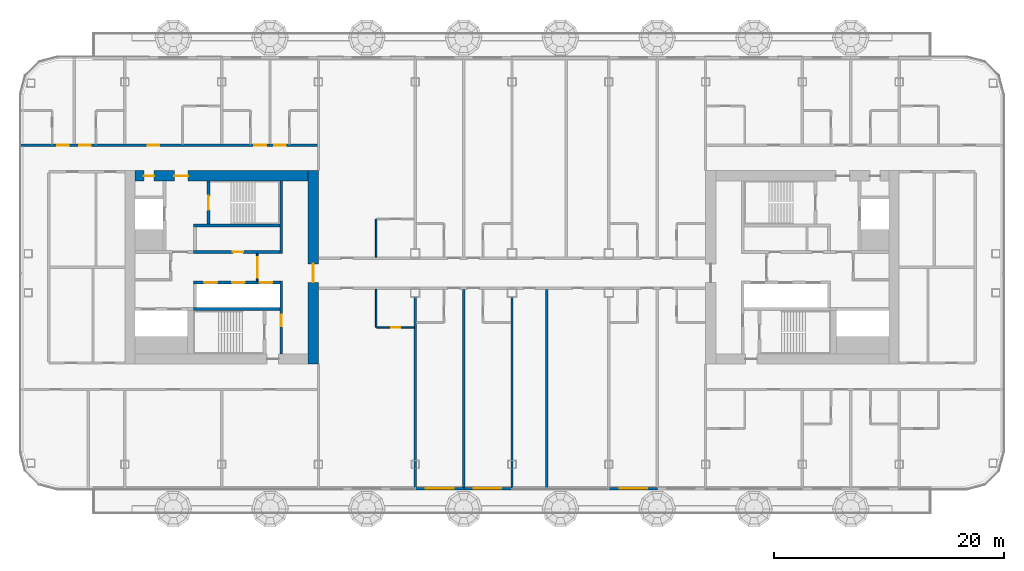
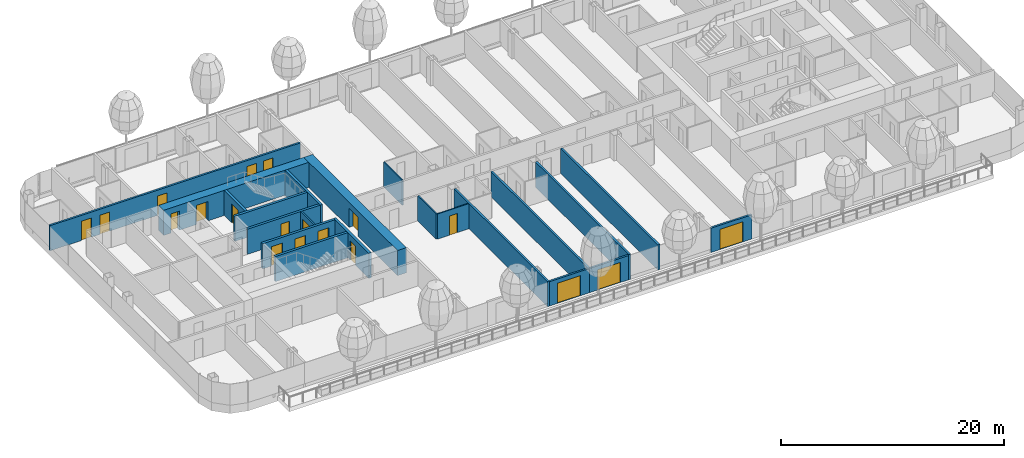
# One storey, part 11 of 30: 21 walls, 19 doors, 19 openings, 1 element without a shape of its own.
"""IFC4 building model written with IfcOpenShell, lengths in metres."""

from ifc_helpers import new_model, si_unit, direction, frame, frame_2d, origin, place, context, subcontext, project, spatial, rectangle, extrude, material, layer, layer_set, type_object, element, fill, aggregate, save


model = new_model("IFC4")

# Units and contexts
model_context = context("Model", 3, precision=1e-05, world=origin(), true_north=direction((0.0, 1.0)))
body_context = subcontext(model_context, "Body", "Model", "MODEL_VIEW")
ifc_project = project(units=[si_unit("LENGTHUNIT", "METRE"), si_unit("AREAUNIT", "SQUARE_METRE"), si_unit("VOLUMEUNIT", "CUBIC_METRE"), si_unit("PLANEANGLEUNIT", "RADIAN"), si_unit("MASSUNIT", "GRAM", prefix="KILO")], contexts=[model_context])

# Site, building, storey
site_placement = place(None, origin())
site = spatial("IfcSite", under=ifc_project, at=site_placement, CompositionType="ELEMENT")
building_placement = place(site_placement, origin())
building = spatial("IfcBuilding", under=site, at=building_placement, Name="Hakoniwa Tower and Hamabe Station Hall", CompositionType="ELEMENT")
storey_placement = place(building_placement, frame((0.0, 0.0, 137.39990234375)))
storey = spatial("IfcBuildingStorey", under=building, at=storey_placement, Name="L38", CompositionType="ELEMENT", Elevation=137.39990234375)

# Wall, opening, door
ifc_material_1 = material(Name="Gypsum board partition", Category="gypsum")
ifc_layer_1 = layer(ifc_material_1, 0.125)
ifc_layer_set_1 = layer_set([ifc_layer_1], Name="Bathroom Partition 125")
wall_type_1 = type_object("IfcWallType", Name="Bathroom Partition 125", PredefinedType="PARTITIONING", material=ifc_layer_set_1)
wall_1_placement = place(storey_placement, frame((-11.737548828125, -5.199951171875, 0.0), z_axis=(0.0, 0.0, 1.0), x_axis=(1.0, 0.0, 0.0)))
wall_1 = element("IfcWall", 1, at=wall_1_placement, inside=storey, type_object=wall_type_1, Name="GW-L38-009", PredefinedType="PARTITIONING", context=body_context, shape_type="SweptSolid", body=[
    extrude(rectangle(XDim=3.237548828125, YDim=0.125, at=frame_2d((1.61865234375, 0.0))), origin(), (0.0, 0.0, 1.0), 2.75),
])
opening_1_placement = place(wall_1_placement, frame((1.237548828125, 0.0, 0.0)))
opening_1 = element("IfcOpeningElement", 2, at=opening_1_placement, cuts=wall_1, Name="Opening GD-G3C0-15", PredefinedType="OPENING", context=body_context, shape_type="SweptSolid", body=[
    extrude(rectangle(XDim=0.800048828125, YDim=2.10009765625, at=frame_2d((0.39990234375, 1.050048828125))), frame((0.0, 0.072509765625, 0.0), z_axis=(0.0, -1.0, 0.0), x_axis=(1.0, 0.0, 0.0)), (0.0, 0.0, 1.0), 0.14501953125),
])
ifc_material_2 = material(Name="Timber door leaf", Category="wood")
door_type_1 = type_object("IfcDoorType", Name="Bathroom Door 800", OperationType="SINGLE_SWING_LEFT", PredefinedType="DOOR", material=ifc_material_2)
door_1_placement = place(opening_1_placement, origin())
door_1 = element("IfcDoor", 3, at=door_1_placement, inside=storey, type_object=door_type_1, Name="Door GD-G3C0-15", OperationType="SINGLE_SWING_RIGHT", OverallHeight=2.10009765625, OverallWidth=0.800048828125, PredefinedType="DOOR", context=body_context, shape_type="SweptSolid", body=[
    extrude(rectangle(XDim=0.800048828125, YDim=2.10009765625, at=frame_2d((0.39990234375, 1.050048828125))), frame((0.0, 0.02490234375, 0.0), z_axis=(0.0, -1.0, 0.0), x_axis=(1.0, 0.0, 0.0)), (0.0, 0.0, 1.0), 0.050048828125),
])
fill(opening_1, door_1)

# Walls
for number, where, z_axis, x_axis, name in (
    (4, (-11.800048828125, -5.199951171875, 0.0), (0.0, 0.0, 1.0), (0.0, 1.0, 0.0), "GW-L38-053"),
    (5, (-11.800048828125, 0.89990234375, 0.0), (0.0, 0.0, 1.0), (0.0, 1.0, 0.0), "GW-L38-054"),
):
    element("IfcWall", number, at=place(storey_placement, frame(where, z_axis=z_axis, x_axis=x_axis)), inside=storey, type_object=wall_type_1, Name=name, PredefinedType="PARTITIONING", context=body_context, shape_type="SweptSolid", body=[
        extrude(rectangle(XDim=3.300048828125, YDim=0.125, at=frame_2d((1.64990234375, 0.0))), origin(), (0.0, 0.0, 1.0), 2.75),
    ])

# Wall, opening, door
ifc_material_3 = material(Name="Gypsum board partition")
ifc_layer_2 = layer(ifc_material_3, 0.14990234375)
ifc_layer_set_2 = layer_set([ifc_layer_2], Name="CORE PARTITION 150 EI 60")
wall_type_2 = type_object("IfcWallType", Name="CORE PARTITION 150 EI 60", PredefinedType="PARTITIONING", material=ifc_layer_set_2)
wall_2_placement = place(storey_placement, frame((-22.10009765625, -1.199951171875, 0.0), z_axis=(0.0, 0.0, 1.0), x_axis=(0.0, 1.0, 0.0)))
wall_2 = element("IfcWall", 6, at=wall_2_placement, inside=storey, type_object=wall_type_2, Name="Core partition PL0 west", PredefinedType="PARTITIONING", context=body_context, shape_type="SweptSolid", body=[
    extrude(rectangle(XDim=2.39990234375, YDim=0.14990234375, at=frame_2d((1.199951171875, 0.0))), origin(), (0.0, 0.0, 1.0), 2.75),
])
opening_2_placement = place(wall_2_placement, frame((0.300048828125, 0.0, 0.0)))
opening_2 = element("IfcOpeningElement", 7, at=opening_2_placement, cuts=wall_2, Name="Opening CD-W-LP0-18", PredefinedType="OPENING", context=body_context, shape_type="SweptSolid", body=[
    extrude(rectangle(XDim=1.800048828125, YDim=2.10009765625, at=frame_2d((0.89990234375, 1.050048828125))), frame((0.0, 0.0849609375, 0.0), z_axis=(0.0, -1.0, 0.0), x_axis=(1.0, 0.0, 0.0)), (0.0, 0.0, 1.0), 0.169921875),
])
ifc_material_4 = material(Name="Steel fire door", Category="steel")
door_type_2 = type_object("IfcDoorType", Name="CORE DOOR 1800 FD60", OperationType="DOUBLE_DOOR_SINGLE_SWING", PredefinedType="DOOR", material=ifc_material_4)
door_2_placement = place(opening_2_placement, origin())
door_2 = element("IfcDoor", 8, at=door_2_placement, inside=storey, type_object=door_type_2, Name="Lift lobby partition door", OperationType="DOUBLE_DOOR_SINGLE_SWING", OverallHeight=2.10009765625, OverallWidth=1.800048828125, PredefinedType="DOOR", context=body_context, shape_type="SweptSolid", body=[
    extrude(rectangle(XDim=1.800048828125, YDim=2.10009765625, at=frame_2d((0.89990234375, 1.050048828125))), frame((0.0, 0.02490234375, 0.0), z_axis=(0.0, -1.0, 0.0), x_axis=(1.0, 0.0, 0.0)), (0.0, 0.0, 1.0), 0.050048828125),
])
fill(opening_2, door_2)

ifc_material_5 = material(Name="Concrete C66", Category="concrete")
ifc_layer_3 = layer(ifc_material_5, 0.89990234375)
ifc_layer_set_3 = layer_set([ifc_layer_3], Name="CORE WALL 900 C66")
wall_type_3 = type_object("IfcWallType", Name="CORE WALL 900 C66", PredefinedType="SHEAR", material=ifc_layer_set_3)
wall_3_placement = place(storey_placement, frame((-17.25, -8.39990234375, 0.0), z_axis=(0.0, 0.0, 1.0), x_axis=(0.0, 1.0, 0.0)))
wall_3 = element("IfcWall", 9, at=wall_3_placement, inside=storey, type_object=wall_type_3, Name="Core wall INNER west", PredefinedType="SHEAR", context=body_context, shape_type="SweptSolid", body=[
    extrude(rectangle(XDim=16.7998046875, YDim=0.89990234375, at=frame_2d((8.39990234375, 0.0))), origin(), (0.0, 0.0, 1.0), 2.75),
])
opening_3_placement = place(wall_3_placement, frame((7.10009765625, 0.0, 0.0)))
opening_3 = element("IfcOpeningElement", 10, at=opening_3_placement, cuts=wall_3, Name="Opening CD-W-IN1-16", PredefinedType="OPENING", context=body_context, shape_type="SweptSolid", body=[
    extrude(rectangle(XDim=1.60009765625, YDim=2.10009765625, at=frame_2d((0.800048828125, 1.050048828125))), frame((0.0, 0.4599609375, 0.0), z_axis=(0.0, -1.0, 0.0), x_axis=(1.0, 0.0, 0.0)), (0.0, 0.0, 1.0), 0.919921875),
])
ifc_material_6 = material(Name="Steel fire door", Category="steel")
door_type_3 = type_object("IfcDoorType", Name="CORE DOOR 1600 FD60", OperationType="DOUBLE_DOOR_SINGLE_SWING", PredefinedType="DOOR", material=ifc_material_6)
door_3_placement = place(opening_3_placement, origin())
door_3 = element("IfcDoor", 11, at=door_3_placement, inside=storey, type_object=door_type_3, Name="Lift lobby door", OperationType="DOUBLE_DOOR_SINGLE_SWING", OverallHeight=2.10009765625, OverallWidth=1.60009765625, PredefinedType="DOOR", context=body_context, shape_type="SweptSolid", body=[
    extrude(rectangle(XDim=1.60009765625, YDim=2.10009765625, at=frame_2d((0.800048828125, 1.050048828125))), frame((0.0, 0.02490234375, 0.0), z_axis=(0.0, -1.0, 0.0), x_axis=(1.0, 0.0, 0.0)), (0.0, 0.0, 1.0), 0.050048828125),
])
fill(opening_3, door_3)

# Wall, openings, doors
wall_4_placement = place(storey_placement, frame((-32.699951171875, 7.949951171875, 0.0), z_axis=(0.0, 0.0, 1.0), x_axis=(1.0, 0.0, 0.0)))
wall_4 = element("IfcWall", 12, at=wall_4_placement, inside=storey, type_object=wall_type_3, Name="Core wall NORTH west", PredefinedType="SHEAR", context=body_context, shape_type="SweptSolid", body=[
    extrude(rectangle(XDim=15.0, YDim=0.89990234375, at=frame_2d((7.5, 0.0))), origin(), (0.0, 0.0, 1.0), 2.75),
])
opening_4_placement = place(wall_4_placement, frame((3.39990234375, 0.0, 0.0)))
opening_4 = element("IfcOpeningElement", 13, at=opening_4_placement, cuts=wall_4, Name="Opening CD-W-FN1-12", PredefinedType="OPENING", context=body_context, shape_type="SweptSolid", body=[
    extrude(rectangle(XDim=1.199951171875, YDim=2.10009765625, at=frame_2d((0.60009765625, 1.050048828125))), frame((0.0, 0.4599609375, 0.0), z_axis=(0.0, -1.0, 0.0), x_axis=(1.0, 0.0, 0.0)), (0.0, 0.0, 1.0), 0.919921875),
])
opening_5_placement = place(wall_4_placement, frame((0.75, 0.0, 0.0)))
opening_5 = element("IfcOpeningElement", 14, at=opening_5_placement, cuts=wall_4, Name="Opening CD-W-FN2-9", PredefinedType="OPENING", context=body_context, shape_type="SweptSolid", body=[
    extrude(rectangle(XDim=0.89990234375, YDim=2.10009765625, at=frame_2d((0.449951171875, 1.050048828125))), frame((0.0, 0.4599609375, 0.0), z_axis=(0.0, -1.0, 0.0), x_axis=(1.0, 0.0, 0.0)), (0.0, 0.0, 1.0), 0.919921875),
])
ifc_material_7 = material(Name="Steel fire door", Category="steel")
door_type_4 = type_object("IfcDoorType", Name="CORE DOOR 1200 FD60", OperationType="DOUBLE_DOOR_SINGLE_SWING", PredefinedType="DOOR", material=ifc_material_7)
door_4_placement = place(opening_4_placement, origin())
door_4 = element("IfcDoor", 15, at=door_4_placement, inside=storey, type_object=door_type_4, Name="Stair vestibule door to the fire-fighting lobby", OperationType="DOUBLE_DOOR_SINGLE_SWING", OverallHeight=2.10009765625, OverallWidth=1.199951171875, PredefinedType="DOOR", context=body_context, shape_type="SweptSolid", body=[
    extrude(rectangle(XDim=1.199951171875, YDim=2.10009765625, at=frame_2d((0.60009765625, 1.050048828125))), frame((0.0, 0.02490234375, 0.0), z_axis=(0.0, -1.0, 0.0), x_axis=(1.0, 0.0, 0.0)), (0.0, 0.0, 1.0), 0.050048828125),
])
fill(opening_4, door_4)
ifc_material_8 = material(Name="Steel fire door", Category="steel")
door_type_5 = type_object("IfcDoorType", Name="CORE DOOR 900 FD30", OperationType="NOTDEFINED", PredefinedType="DOOR", material=ifc_material_8)
door_5_placement = place(opening_5_placement, origin())
door_5 = element("IfcDoor", 16, at=door_5_placement, inside=storey, type_object=door_type_5, Name="Riser access door", OperationType="SINGLE_SWING_LEFT", OverallHeight=2.10009765625, OverallWidth=0.89990234375, PredefinedType="DOOR", context=body_context, shape_type="SweptSolid", body=[
    extrude(rectangle(XDim=0.89990234375, YDim=2.10009765625, at=frame_2d((0.449951171875, 1.050048828125))), frame((0.0, 0.02490234375, 0.0), z_axis=(0.0, -1.0, 0.0), x_axis=(1.0, 0.0, 0.0)), (0.0, 0.0, 1.0), 0.050048828125),
])
fill(opening_5, door_5)

# Wall
ifc_material_9 = material(Name="Concrete C66", Category="concrete")
ifc_layer_4 = layer(ifc_material_9, 0.25)
ifc_layer_set_4 = layer_set([ifc_layer_4], Name="CORE WEB WALL 250 C66")
wall_type_4 = type_object("IfcWallType", Name="CORE WEB WALL 250 C66", PredefinedType="SHEAR", material=ifc_layer_set_4)
wall_5_placement = place(storey_placement, frame((-20.02490234375, 1.199951171875, 0.0), z_axis=(0.0, 0.0, 1.0), x_axis=(0.0, 1.0, 0.0)))
element("IfcWall", 17, at=wall_5_placement, inside=storey, type_object=wall_type_4, Name="Core wall W1N west", PredefinedType="SHEAR", context=body_context, shape_type="SweptSolid", body=[
    extrude(rectangle(XDim=6.300048828125, YDim=0.25, at=frame_2d((3.14990234375, 0.0))), origin(), (0.0, 0.0, 1.0), 2.75),
])

# Wall, opening, door
wall_6_placement = place(storey_placement, frame((-20.02490234375, -7.5, 0.0), z_axis=(0.0, 0.0, 1.0), x_axis=(0.0, 1.0, 0.0)))
wall_6 = element("IfcWall", 18, at=wall_6_placement, inside=storey, type_object=wall_type_4, Name="Core wall W1S west", PredefinedType="SHEAR", context=body_context, shape_type="SweptSolid", body=[
    extrude(rectangle(XDim=6.300048828125, YDim=0.25, at=frame_2d((3.14990234375, 0.0))), origin(), (0.0, 0.0, 1.0), 2.75),
])
opening_6_placement = place(wall_6_placement, frame((2.39990234375, 0.0, 0.0)))
opening_6 = element("IfcOpeningElement", 19, at=opening_6_placement, cuts=wall_6, Name="Opening CD-W-VS-10", PredefinedType="OPENING", context=body_context, shape_type="SweptSolid", body=[
    extrude(rectangle(XDim=1.0, YDim=2.10009765625, at=frame_2d((0.5, 1.050048828125))), frame((0.0, 0.135009765625, 0.0), z_axis=(0.0, -1.0, 0.0), x_axis=(1.0, 0.0, 0.0)), (0.0, 0.0, 1.0), 0.27001953125),
])
ifc_material_10 = material(Name="Steel fire door", Category="steel")
door_type_6 = type_object("IfcDoorType", Name="CORE DOOR 1000 FD60", OperationType="NOTDEFINED", PredefinedType="DOOR", material=ifc_material_10)
door_6_placement = place(opening_6_placement, origin())
door_6 = element("IfcDoor", 20, at=door_6_placement, inside=storey, type_object=door_type_6, Name="Stair vestibule door", OperationType="SINGLE_SWING_LEFT", OverallHeight=2.10009765625, OverallWidth=1.0, PredefinedType="DOOR", context=body_context, shape_type="SweptSolid", body=[
    extrude(rectangle(XDim=1.0, YDim=2.10009765625, at=frame_2d((0.5, 1.050048828125))), frame((0.0, 0.02490234375, 0.0), z_axis=(0.0, -1.0, 0.0), x_axis=(1.0, 0.0, 0.0)), (0.0, 0.0, 1.0), 0.050048828125),
])
fill(opening_6, door_6)

wall_7_placement = place(storey_placement, frame((-27.64990234375, 1.324951171875, 0.0), z_axis=(0.0, 0.0, 1.0), x_axis=(1.0, 0.0, 0.0)))
wall_7 = element("IfcWall", 21, at=wall_7_placement, inside=storey, type_object=wall_type_4, Name="Core wall NF west", PredefinedType="SHEAR", context=body_context, shape_type="SweptSolid", body=[
    extrude(rectangle(XDim=7.5, YDim=0.25, at=frame_2d((3.75, 0.0))), origin(), (0.0, 0.0, 1.0), 2.75),
])
opening_7_placement = place(wall_7_placement, frame((3.425048828125, 0.0, 0.0)))
opening_7 = element("IfcOpeningElement", 22, at=opening_7_placement, cuts=wall_7, Name="Opening CD-W-FRLR0-9", PredefinedType="OPENING", context=body_context, shape_type="SweptSolid", body=[
    extrude(rectangle(XDim=0.89990234375, YDim=2.10009765625, at=frame_2d((0.449951171875, 1.050048828125))), frame((0.0, 0.135009765625, 0.0), z_axis=(0.0, -1.0, 0.0), x_axis=(1.0, 0.0, 0.0)), (0.0, 0.0, 1.0), 0.27001953125),
])
door_7_placement = place(opening_7_placement, origin())
door_7 = element("IfcDoor", 23, at=door_7_placement, inside=storey, type_object=door_type_5, Name="Store room door", OperationType="SINGLE_SWING_LEFT", OverallHeight=2.10009765625, OverallWidth=0.89990234375, PredefinedType="DOOR", context=body_context, shape_type="SweptSolid", body=[
    extrude(rectangle(XDim=0.89990234375, YDim=2.10009765625, at=frame_2d((0.449951171875, 1.050048828125))), frame((0.0, 0.02490234375, 0.0), z_axis=(0.0, -1.0, 0.0), x_axis=(1.0, 0.0, 0.0)), (0.0, 0.0, 1.0), 0.050048828125),
])
fill(opening_7, door_7)

# Wall
wall_8_placement = place(storey_placement, frame((-27.64990234375, 3.625, 0.0), z_axis=(0.0, 0.0, 1.0), x_axis=(1.0, 0.0, 0.0)))
element("IfcWall", 24, at=wall_8_placement, inside=storey, type_object=wall_type_4, Name="Core wall NR west", PredefinedType="SHEAR", context=body_context, shape_type="SweptSolid", body=[
    extrude(rectangle(XDim=7.5, YDim=0.25, at=frame_2d((3.75, 0.0))), origin(), (0.0, 0.0, 1.0), 2.75),
])

# Wall, opening, door
wall_9_placement = place(storey_placement, frame((-26.324951171875, 3.75, 0.0), z_axis=(0.0, 0.0, 1.0), x_axis=(0.0, 1.0, 0.0)))
wall_9 = element("IfcWall", 25, at=wall_9_placement, inside=storey, type_object=wall_type_4, Name="Core wall NSE west", PredefinedType="SHEAR", context=body_context, shape_type="SweptSolid", body=[
    extrude(rectangle(XDim=3.75, YDim=0.25, at=frame_2d((1.875, 0.0))), origin(), (0.0, 0.0, 1.0), 2.75),
])
opening_8_placement = place(wall_9_placement, frame((1.25, 0.0, 0.0)))
opening_8 = element("IfcOpeningElement", 26, at=opening_8_placement, cuts=wall_9, Name="Opening CD-W-SN-12", PredefinedType="OPENING", context=body_context, shape_type="SweptSolid", body=[
    extrude(rectangle(XDim=1.199951171875, YDim=2.10009765625, at=frame_2d((0.60009765625, 1.050048828125))), frame((0.0, 0.135009765625, 0.0), z_axis=(0.0, -1.0, 0.0), x_axis=(1.0, 0.0, 0.0)), (0.0, 0.0, 1.0), 0.27001953125),
])
door_8_placement = place(opening_8_placement, origin())
door_8 = element("IfcDoor", 27, at=door_8_placement, inside=storey, type_object=door_type_4, Name="Escape stair door", OperationType="DOUBLE_DOOR_SINGLE_SWING", OverallHeight=2.10009765625, OverallWidth=1.199951171875, PredefinedType="DOOR", context=body_context, shape_type="SweptSolid", body=[
    extrude(rectangle(XDim=1.199951171875, YDim=2.10009765625, at=frame_2d((0.60009765625, 1.050048828125))), frame((0.0, 0.02490234375, 0.0), z_axis=(0.0, -1.0, 0.0), x_axis=(1.0, 0.0, 0.0)), (0.0, 0.0, 1.0), 0.050048828125),
])
fill(opening_8, door_8)

# Wall, openings, doors
wall_10_placement = place(storey_placement, frame((-27.64990234375, -1.324951171875, 0.0), z_axis=(0.0, 0.0, 1.0), x_axis=(1.0, 0.0, 0.0)))
wall_10 = element("IfcWall", 28, at=wall_10_placement, inside=storey, type_object=wall_type_4, Name="Core wall SF west", PredefinedType="SHEAR", context=body_context, shape_type="SweptSolid", body=[
    extrude(rectangle(XDim=7.5, YDim=0.25, at=frame_2d((3.75, 0.0))), origin(), (0.0, 0.0, 1.0), 2.75),
])
opening_9_placement = place(wall_10_placement, frame((5.75, 0.0, 0.0)))
opening_9 = element("IfcOpeningElement", 29, at=opening_9_placement, cuts=wall_10, Name="Opening LD-HR1", PredefinedType="OPENING", context=body_context, shape_type="SweptSolid", body=[
    extrude(rectangle(XDim=1.10009765625, YDim=2.10009765625, at=frame_2d((0.550048828125, 1.050048828125))), frame((0.0, 0.135009765625, 0.0), z_axis=(0.0, -1.0, 0.0), x_axis=(1.0, 0.0, 0.0)), (0.0, 0.0, 1.0), 0.27001953125),
])
opening_10_placement = place(wall_10_placement, frame((3.35009765625, 0.0, 0.0)))
opening_10 = element("IfcOpeningElement", 30, at=opening_10_placement, cuts=wall_10, Name="Opening LD-HR2", PredefinedType="OPENING", context=body_context, shape_type="SweptSolid", body=[
    extrude(rectangle(XDim=1.10009765625, YDim=2.10009765625, at=frame_2d((0.550048828125, 1.050048828125))), frame((0.0, 0.135009765625, 0.0), z_axis=(0.0, -1.0, 0.0), x_axis=(1.0, 0.0, 0.0)), (0.0, 0.0, 1.0), 0.27001953125),
])
opening_11_placement = place(wall_10_placement, frame((0.949951171875, 0.0, 0.0)))
opening_11 = element("IfcOpeningElement", 31, at=opening_11_placement, cuts=wall_10, Name="Opening LD-HR3", PredefinedType="OPENING", context=body_context, shape_type="SweptSolid", body=[
    extrude(rectangle(XDim=1.10009765625, YDim=2.10009765625, at=frame_2d((0.550048828125, 1.050048828125))), frame((0.0, 0.135009765625, 0.0), z_axis=(0.0, -1.0, 0.0), x_axis=(1.0, 0.0, 0.0)), (0.0, 0.0, 1.0), 0.27001953125),
])
ifc_material_11 = material(Name="Stainless steel SUS304", Category="steel")
door_type_7 = type_object("IfcDoorType", Name="LIFT LANDING DOOR 1100 FD60", OperationType="DOUBLE_DOOR_SLIDING", PredefinedType="DOOR", material=ifc_material_11)
door_9_placement = place(opening_9_placement, origin())
door_9 = element("IfcDoor", 32, at=door_9_placement, inside=storey, type_object=door_type_7, Name="Lift landing door HR1 L38", OperationType="DOUBLE_DOOR_SLIDING", OverallHeight=2.10009765625, OverallWidth=1.10009765625, PredefinedType="DOOR", context=body_context, shape_type="SweptSolid", body=[
    extrude(rectangle(XDim=1.10009765625, YDim=2.10009765625, at=frame_2d((0.550048828125, 1.050048828125))), frame((0.0, 0.02490234375, 0.0), z_axis=(0.0, -1.0, 0.0), x_axis=(1.0, 0.0, 0.0)), (0.0, 0.0, 1.0), 0.050048828125),
])
fill(opening_9, door_9)
door_10_placement = place(opening_10_placement, origin())
door_10 = element("IfcDoor", 33, at=door_10_placement, inside=storey, type_object=door_type_7, Name="Lift landing door HR2 L38", OperationType="DOUBLE_DOOR_SLIDING", OverallHeight=2.10009765625, OverallWidth=1.10009765625, PredefinedType="DOOR", context=body_context, shape_type="SweptSolid", body=[
    extrude(rectangle(XDim=1.10009765625, YDim=2.10009765625, at=frame_2d((0.550048828125, 1.050048828125))), frame((0.0, 0.02490234375, 0.0), z_axis=(0.0, -1.0, 0.0), x_axis=(1.0, 0.0, 0.0)), (0.0, 0.0, 1.0), 0.050048828125),
])
fill(opening_10, door_10)
door_11_placement = place(opening_11_placement, origin())
door_11 = element("IfcDoor", 34, at=door_11_placement, inside=storey, type_object=door_type_7, Name="Lift landing door HR3 L38", OperationType="DOUBLE_DOOR_SLIDING", OverallHeight=2.10009765625, OverallWidth=1.10009765625, PredefinedType="DOOR", context=body_context, shape_type="SweptSolid", body=[
    extrude(rectangle(XDim=1.10009765625, YDim=2.10009765625, at=frame_2d((0.550048828125, 1.050048828125))), frame((0.0, 0.02490234375, 0.0), z_axis=(0.0, -1.0, 0.0), x_axis=(1.0, 0.0, 0.0)), (0.0, 0.0, 1.0), 0.050048828125),
])
fill(opening_11, door_11)

# Wall
wall_11_placement = place(storey_placement, frame((-27.64990234375, -3.625, 0.0), z_axis=(0.0, 0.0, 1.0), x_axis=(1.0, 0.0, 0.0)))
element("IfcWall", 35, at=wall_11_placement, inside=storey, type_object=wall_type_4, Name="Core wall SR west", PredefinedType="SHEAR", context=body_context, shape_type="SweptSolid", body=[
    extrude(rectangle(XDim=7.5, YDim=0.25, at=frame_2d((3.75, 0.0))), origin(), (0.0, 0.0, 1.0), 2.75),
])

# Wall, openings, doors
ifc_material_12 = material(Name="Fire-rated gypsum board partition", Category="gypsum")
ifc_layer_5 = layer(ifc_material_12, 0.199951171875)
ifc_layer_set_5 = layer_set([ifc_layer_5], Name="Corridor Wall 200")
wall_type_5 = type_object("IfcWallType", Name="Corridor Wall 200", PredefinedType="PARTITIONING", material=ifc_layer_set_5)
wall_12_placement = place(storey_placement, frame((-42.699951171875, 10.60009765625, 0.0), z_axis=(0.0, 0.0, 1.0), x_axis=(1.0, 0.0, 0.0)))
wall_12 = element("IfcWall", 36, at=wall_12_placement, inside=storey, type_object=wall_type_5, Name="GW-L38-025", PredefinedType="PARTITIONING", context=body_context, shape_type="SweptSolid", body=[
    extrude(rectangle(XDim=25.89990234375, YDim=0.199951171875, at=frame_2d((12.949951171875, 0.0))), origin(), (0.0, 0.0, 1.0), 2.75),
])
opening_12_placement = place(wall_12_placement, frame((3.25, 0.0, 0.0)))
opening_12 = element("IfcOpeningElement", 37, at=opening_12_placement, cuts=wall_12, Name="Opening GD-G3C0-35", PredefinedType="OPENING", context=body_context, shape_type="SweptSolid", body=[
    extrude(rectangle(XDim=1.0, YDim=2.10009765625, at=frame_2d((0.5, 1.050048828125))), frame((0.0, 0.10986328125, 0.0), z_axis=(0.0, -1.0, 0.0), x_axis=(1.0, 0.0, 0.0)), (0.0, 0.0, 1.0), 0.219970703125),
])
opening_13_placement = place(wall_12_placement, frame((5.14990234375, 0.0, 0.0)))
opening_13 = element("IfcOpeningElement", 38, at=opening_13_placement, cuts=wall_12, Name="Opening GD-G3C0-36", PredefinedType="OPENING", context=body_context, shape_type="SweptSolid", body=[
    extrude(rectangle(XDim=1.0, YDim=2.10009765625, at=frame_2d((0.5, 1.050048828125))), frame((0.0, 0.10986328125, 0.0), z_axis=(0.0, -1.0, 0.0), x_axis=(1.0, 0.0, 0.0)), (0.0, 0.0, 1.0), 0.219970703125),
])
opening_14_placement = place(wall_12_placement, frame((11.10009765625, 0.0, 0.0)))
opening_14 = element("IfcOpeningElement", 39, at=opening_14_placement, cuts=wall_12, Name="Opening GD-G3C0-37", PredefinedType="OPENING", context=body_context, shape_type="SweptSolid", body=[
    extrude(rectangle(XDim=1.0, YDim=2.10009765625, at=frame_2d((0.5, 1.050048828125))), frame((0.0, 0.10986328125, 0.0), z_axis=(0.0, -1.0, 0.0), x_axis=(1.0, 0.0, 0.0)), (0.0, 0.0, 1.0), 0.219970703125),
])
opening_15_placement = place(wall_12_placement, frame((20.35009765625, 0.0, 0.0)))
opening_15 = element("IfcOpeningElement", 40, at=opening_15_placement, cuts=wall_12, Name="Opening GD-G3C0-38", PredefinedType="OPENING", context=body_context, shape_type="SweptSolid", body=[
    extrude(rectangle(XDim=1.0, YDim=2.10009765625, at=frame_2d((0.5, 1.050048828125))), frame((0.0, 0.10986328125, 0.0), z_axis=(0.0, -1.0, 0.0), x_axis=(1.0, 0.0, 0.0)), (0.0, 0.0, 1.0), 0.219970703125),
])
opening_16_placement = place(wall_12_placement, frame((22.050048828125, 0.0, 0.0)))
opening_16 = element("IfcOpeningElement", 41, at=opening_16_placement, cuts=wall_12, Name="Opening GD-G3C0-39", PredefinedType="OPENING", context=body_context, shape_type="SweptSolid", body=[
    extrude(rectangle(XDim=1.0, YDim=2.10009765625, at=frame_2d((0.5, 1.050048828125))), frame((0.0, 0.10986328125, 0.0), z_axis=(0.0, -1.0, 0.0), x_axis=(1.0, 0.0, 0.0)), (0.0, 0.0, 1.0), 0.219970703125),
])
ifc_material_13 = material(Name="Timber door leaf", Category="wood")
door_type_8 = type_object("IfcDoorType", Name="Guest Entrance Door 1000", OperationType="SINGLE_SWING_LEFT", PredefinedType="DOOR", material=ifc_material_13)
door_12_placement = place(opening_12_placement, origin())
door_12 = element("IfcDoor", 42, at=door_12_placement, inside=storey, type_object=door_type_8, Name="Door GD-G3C0-35", OperationType="SINGLE_SWING_RIGHT", OverallHeight=2.10009765625, OverallWidth=1.0, PredefinedType="DOOR", context=body_context, shape_type="SweptSolid", body=[
    extrude(rectangle(XDim=1.0, YDim=2.10009765625, at=frame_2d((0.5, 1.050048828125))), frame((0.0, 0.02490234375, 0.0), z_axis=(0.0, -1.0, 0.0), x_axis=(1.0, 0.0, 0.0)), (0.0, 0.0, 1.0), 0.050048828125),
])
fill(opening_12, door_12)
door_13_placement = place(opening_13_placement, origin())
door_13 = element("IfcDoor", 43, at=door_13_placement, inside=storey, type_object=door_type_8, Name="Door GD-G3C0-36", OperationType="SINGLE_SWING_LEFT", OverallHeight=2.10009765625, OverallWidth=1.0, PredefinedType="DOOR", context=body_context, shape_type="SweptSolid", body=[
    extrude(rectangle(XDim=1.0, YDim=2.10009765625, at=frame_2d((0.5, 1.050048828125))), frame((0.0, 0.02490234375, 0.0), z_axis=(0.0, -1.0, 0.0), x_axis=(1.0, 0.0, 0.0)), (0.0, 0.0, 1.0), 0.050048828125),
])
fill(opening_13, door_13)
door_14_placement = place(opening_14_placement, origin())
door_14 = element("IfcDoor", 44, at=door_14_placement, inside=storey, type_object=door_type_8, Name="Door GD-G3C0-37", OperationType="SINGLE_SWING_RIGHT", OverallHeight=2.10009765625, OverallWidth=1.0, PredefinedType="DOOR", context=body_context, shape_type="SweptSolid", body=[
    extrude(rectangle(XDim=1.0, YDim=2.10009765625, at=frame_2d((0.5, 1.050048828125))), frame((0.0, 0.02490234375, 0.0), z_axis=(0.0, -1.0, 0.0), x_axis=(1.0, 0.0, 0.0)), (0.0, 0.0, 1.0), 0.050048828125),
])
fill(opening_14, door_14)
door_15_placement = place(opening_15_placement, origin())
door_15 = element("IfcDoor", 45, at=door_15_placement, inside=storey, type_object=door_type_8, Name="Door GD-G3C0-38", OperationType="SINGLE_SWING_LEFT", OverallHeight=2.10009765625, OverallWidth=1.0, PredefinedType="DOOR", context=body_context, shape_type="SweptSolid", body=[
    extrude(rectangle(XDim=1.0, YDim=2.10009765625, at=frame_2d((0.5, 1.050048828125))), frame((0.0, 0.02490234375, 0.0), z_axis=(0.0, -1.0, 0.0), x_axis=(1.0, 0.0, 0.0)), (0.0, 0.0, 1.0), 0.050048828125),
])
fill(opening_15, door_15)
door_16_placement = place(opening_16_placement, origin())
door_16 = element("IfcDoor", 46, at=door_16_placement, inside=storey, type_object=door_type_8, Name="Door GD-G3C0-39", OperationType="SINGLE_SWING_RIGHT", OverallHeight=2.10009765625, OverallWidth=1.0, PredefinedType="DOOR", context=body_context, shape_type="SweptSolid", body=[
    extrude(rectangle(XDim=1.0, YDim=2.10009765625, at=frame_2d((0.5, 1.050048828125))), frame((0.0, 0.02490234375, 0.0), z_axis=(0.0, -1.0, 0.0), x_axis=(1.0, 0.0, 0.0)), (0.0, 0.0, 1.0), 0.050048828125),
])
fill(opening_16, door_16)

# Curtain wall, walls, openings, doors
ifc_material_14 = material(Name="Dark low-e laminated glass", Category="glass")
ifc_layer_6 = layer(ifc_material_14, 0.199951171875)
ifc_layer_set_6 = layer_set([ifc_layer_6], Name="CW-1 UNITISED GUEST")
curtain_wall_type = type_object("IfcCurtainWallType", Name="CW-1 UNITISED GUEST", PredefinedType="NOTDEFINED", material=ifc_layer_set_6)
curtain_wall_placement = place(storey_placement, origin())
curtain_wall = element("IfcCurtainWall", 47, at=curtain_wall_placement, inside=storey, type_object=curtain_wall_type, Name="CW-1 curtain wall", PredefinedType="NOTDEFINED")
ifc_material_15 = material(Name="Dark glass-faced aluminium panel", Category="aluminium")
ifc_layer_7 = layer(ifc_material_15, 0.199951171875)
ifc_layer_set_7 = layer_set([ifc_layer_7], Name="DOOR BAY WALL")
wall_type_6 = type_object("IfcWallType", Name="DOOR BAY WALL", PredefinedType="NOTDEFINED", material=ifc_layer_set_7)
wall_13_placement = place(storey_placement, frame((-8.3798828125, -19.199951171875, 0.0), z_axis=(0.0, 0.0, 1.0), x_axis=(1.0, 0.0, 0.0)))
wall_13 = element("IfcWall", 48, at=wall_13_placement, type_object=wall_type_6, Name="Door bay wall", PredefinedType="NOTDEFINED", context=body_context, shape_type="SweptSolid", body=[
    extrude(rectangle(XDim=4.219970703125, YDim=0.199951171875, at=frame_2d((2.10986328125, 0.0))), origin(), (0.0, 0.0, 1.0), 2.650146484375),
])
opening_17_placement = place(wall_13_placement, frame((0.909912109375, 0.0, 0.0)))
opening_17 = element("IfcOpeningElement", 49, at=opening_17_placement, cuts=wall_13, Name="Opening BD-S07-7", PredefinedType="OPENING", context=body_context, shape_type="SweptSolid", body=[
    extrude(rectangle(XDim=2.39990234375, YDim=2.199951171875, at=frame_2d((1.199951171875, 1.10009765625))), frame((0.0, 0.10986328125, 0.0), z_axis=(0.0, -1.0, 0.0), x_axis=(1.0, 0.0, 0.0)), (0.0, 0.0, 1.0), 0.219970703125),
])
ifc_material_16 = material(Name="Dark low-e laminated glass", Category="glass")
door_type_9 = type_object("IfcDoorType", Name="BALCONY SLIDING DOOR 2400X2200", OperationType="SLIDING_TO_LEFT", PredefinedType="DOOR", material=ifc_material_16)
door_17_placement = place(opening_17_placement, frame((2.39990234375, 0.0, 0.0), z_axis=(0.0, 0.0, 1.0), x_axis=(-1.0, 0.0, 0.0)))
door_17 = element("IfcDoor", 50, at=door_17_placement, inside=storey, type_object=door_type_9, Name="Balcony sliding door", OperationType="SLIDING_TO_LEFT", OverallHeight=2.199951171875, OverallWidth=2.39990234375, PredefinedType="DOOR", context=body_context, shape_type="SweptSolid", body=[
    extrude(rectangle(XDim=2.39990234375, YDim=2.199951171875, at=frame_2d((1.199951171875, 1.10009765625))), frame((0.0, 0.02490234375, 0.0), z_axis=(0.0, -1.0, 0.0), x_axis=(1.0, 0.0, 0.0)), (0.0, 0.0, 1.0), 0.050048828125),
])
fill(opening_17, door_17)
wall_14_placement = place(storey_placement, frame((-4.239990234375, -19.199951171875, 0.0), z_axis=(0.0, 0.0, 1.0), x_axis=(1.0, 0.0, 0.0)))
wall_14 = element("IfcWall", 51, at=wall_14_placement, type_object=wall_type_6, Name="Door bay wall", PredefinedType="NOTDEFINED", context=body_context, shape_type="SweptSolid", body=[
    extrude(rectangle(XDim=4.219970703125, YDim=0.199951171875, at=frame_2d((2.10986328125, 0.0))), origin(), (0.0, 0.0, 1.0), 2.650146484375),
])
opening_18_placement = place(wall_14_placement, frame((0.909912109375, 0.0, 0.0)))
opening_18 = element("IfcOpeningElement", 52, at=opening_18_placement, cuts=wall_14, Name="Opening BD-S07-8", PredefinedType="OPENING", context=body_context, shape_type="SweptSolid", body=[
    extrude(rectangle(XDim=2.39990234375, YDim=2.199951171875, at=frame_2d((1.199951171875, 1.10009765625))), frame((0.0, 0.10986328125, 0.0), z_axis=(0.0, -1.0, 0.0), x_axis=(1.0, 0.0, 0.0)), (0.0, 0.0, 1.0), 0.219970703125),
])
door_18_placement = place(opening_18_placement, frame((2.39990234375, 0.0, 0.0), z_axis=(0.0, 0.0, 1.0), x_axis=(-1.0, 0.0, 0.0)))
door_18 = element("IfcDoor", 53, at=door_18_placement, inside=storey, type_object=door_type_9, Name="Balcony sliding door", OperationType="SLIDING_TO_LEFT", OverallHeight=2.199951171875, OverallWidth=2.39990234375, PredefinedType="DOOR", context=body_context, shape_type="SweptSolid", body=[
    extrude(rectangle(XDim=2.39990234375, YDim=2.199951171875, at=frame_2d((1.199951171875, 1.10009765625))), frame((0.0, 0.02490234375, 0.0), z_axis=(0.0, -1.0, 0.0), x_axis=(1.0, 0.0, 0.0)), (0.0, 0.0, 1.0), 0.050048828125),
])
fill(opening_18, door_18)
wall_15_placement = place(storey_placement, frame((8.419921875, -19.199951171875, 0.0), z_axis=(0.0, 0.0, 1.0), x_axis=(1.0, 0.0, 0.0)))
wall_15 = element("IfcWall", 54, at=wall_15_placement, type_object=wall_type_6, Name="Door bay wall", PredefinedType="NOTDEFINED", context=body_context, shape_type="SweptSolid", body=[
    extrude(rectangle(XDim=4.219970703125, YDim=0.199951171875, at=frame_2d((2.10986328125, 0.0))), origin(), (0.0, 0.0, 1.0), 2.650146484375),
])
opening_19_placement = place(wall_15_placement, frame((0.909912109375, 0.0, 0.0)))
opening_19 = element("IfcOpeningElement", 55, at=opening_19_placement, cuts=wall_15, Name="Opening BD-S07-9", PredefinedType="OPENING", context=body_context, shape_type="SweptSolid", body=[
    extrude(rectangle(XDim=2.39990234375, YDim=2.199951171875, at=frame_2d((1.199951171875, 1.10009765625))), frame((0.0, 0.10986328125, 0.0), z_axis=(0.0, -1.0, 0.0), x_axis=(1.0, 0.0, 0.0)), (0.0, 0.0, 1.0), 0.219970703125),
])
door_19_placement = place(opening_19_placement, frame((2.39990234375, 0.0, 0.0), z_axis=(0.0, 0.0, 1.0), x_axis=(-1.0, 0.0, 0.0)))
door_19 = element("IfcDoor", 56, at=door_19_placement, inside=storey, type_object=door_type_9, Name="Balcony sliding door", OperationType="SLIDING_TO_LEFT", OverallHeight=2.199951171875, OverallWidth=2.39990234375, PredefinedType="DOOR", context=body_context, shape_type="SweptSolid", body=[
    extrude(rectangle(XDim=2.39990234375, YDim=2.199951171875, at=frame_2d((1.199951171875, 1.10009765625))), frame((0.0, 0.02490234375, 0.0), z_axis=(0.0, -1.0, 0.0), x_axis=(1.0, 0.0, 0.0)), (0.0, 0.0, 1.0), 0.050048828125),
])
fill(opening_19, door_19)
aggregate(curtain_wall, [wall_13, wall_14, wall_15])

# Walls
ifc_material_17 = material(Name="Fire-rated gypsum board partition", Category="gypsum")
ifc_layer_8 = layer(ifc_material_17, 0.199951171875)
ifc_layer_set_8 = layer_set([ifc_layer_8], Name="Party Wall 200")
wall_type_7 = type_object("IfcWallType", Name="Party Wall 200", PredefinedType="PARTITIONING", material=ifc_layer_set_8)
wall_16_placement = place(storey_placement, frame((-8.39990234375, -19.300048828125, 0.0), z_axis=(0.0, 0.0, 1.0), x_axis=(0.0, 1.0, 0.0)))
element("IfcWall", 57, at=wall_16_placement, inside=storey, type_object=wall_type_7, Name="GW-L38-055", PredefinedType="PARTITIONING", context=body_context, shape_type="SweptSolid", body=[
    extrude(rectangle(XDim=16.7099609375, YDim=0.199951171875, at=frame_2d((8.35498046875, 0.0))), origin(), (0.0, 0.0, 1.0), 2.75),
])
wall_17_placement = place(storey_placement, frame((-4.199951171875, -19.300048828125, 0.0), z_axis=(0.0, 0.0, 1.0), x_axis=(0.0, 1.0, 0.0)))
element("IfcWall", 58, at=wall_17_placement, inside=storey, type_object=wall_type_7, Name="GW-L38-059", PredefinedType="PARTITIONING", context=body_context, shape_type="SweptSolid", body=[
    extrude(rectangle(XDim=17.400146484375, YDim=0.199951171875, at=frame_2d((8.7001953125, 0.0))), origin(), (0.0, 0.0, 1.0), 2.75),
])
wall_18_placement = place(storey_placement, frame((0.0, -19.300048828125, 0.0), z_axis=(0.0, 0.0, 1.0), x_axis=(0.0, 1.0, 0.0)))
element("IfcWall", 59, at=wall_18_placement, inside=storey, type_object=wall_type_7, Name="GW-L38-063", PredefinedType="PARTITIONING", context=body_context, shape_type="SweptSolid", body=[
    extrude(rectangle(XDim=16.7099609375, YDim=0.199951171875, at=frame_2d((8.35498046875, 0.0))), origin(), (0.0, 0.0, 1.0), 2.75),
])
wall_19_placement = place(storey_placement, frame((3.02001953125, -19.300048828125, 0.0), z_axis=(0.0, 0.0, 1.0), x_axis=(0.0, 1.0, 0.0)))
element("IfcWall", 60, at=wall_19_placement, inside=storey, type_object=wall_type_7, Name="GW-L38-065", PredefinedType="PARTITIONING", context=body_context, shape_type="SweptSolid", body=[
    extrude(rectangle(XDim=17.400146484375, YDim=0.199951171875, at=frame_2d((8.7001953125, 0.0))), origin(), (0.0, 0.0, 1.0), 2.75),
])

save(model, "model.ifc")
